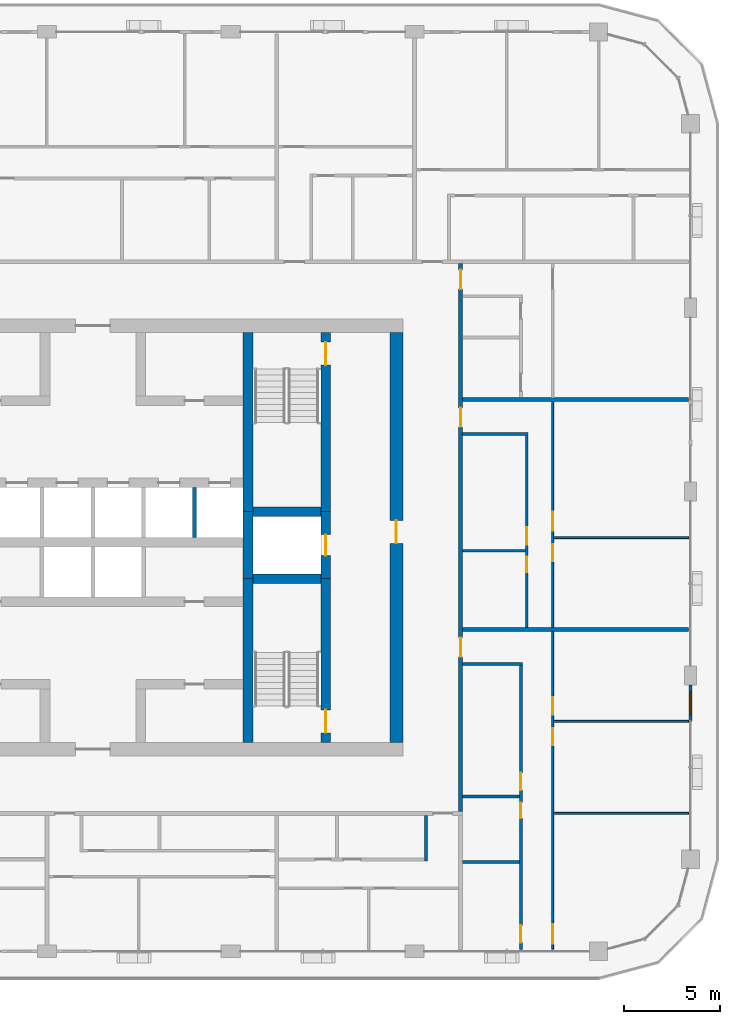
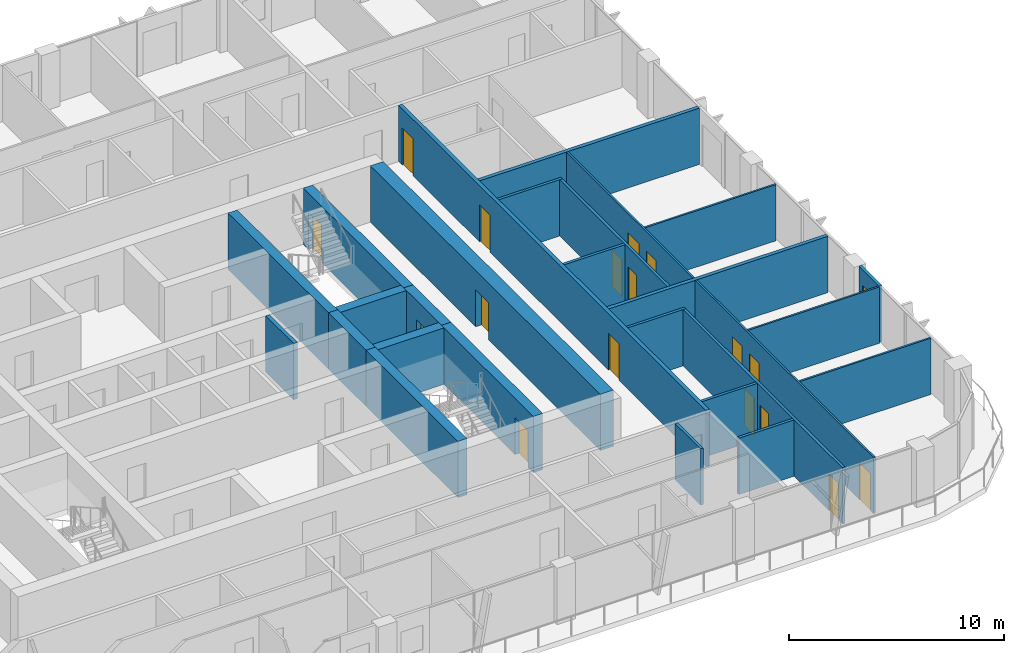
# One storey, part 12 of 22: 27 walls, 17 doors, 1 window, 18 openings.
"""IFC4 building model written with IfcOpenShell, lengths in metres."""

from ifc_helpers import new_model, si_unit, direction, frame, frame_2d, origin, place, context, subcontext, project, spatial, rectangle, extrude, material, layer, layer_set, type_object, element, fill, save


model = new_model("IFC4")

# Units and contexts
model_context = context("Model", 3, precision=1e-05, world=origin(), true_north=direction((0.0, 1.0)))
body_context = subcontext(model_context, "Body", "Model", "MODEL_VIEW")
ifc_project = project(units=[si_unit("LENGTHUNIT", "METRE"), si_unit("AREAUNIT", "SQUARE_METRE"), si_unit("VOLUMEUNIT", "CUBIC_METRE"), si_unit("PLANEANGLEUNIT", "RADIAN"), si_unit("MASSUNIT", "GRAM", prefix="KILO")], contexts=[model_context])

# Site, building, storey
site_placement = place(None, origin())
site = spatial("IfcSite", under=ifc_project, at=site_placement, CompositionType="ELEMENT")
building_placement = place(site_placement, origin())
building = spatial("IfcBuilding", under=site, at=building_placement, Name="Madar Terraces", CompositionType="ELEMENT")
storey_placement = place(building_placement, frame((0.0, 0.0, 208.800048828125)))
storey = spatial("IfcBuildingStorey", under=building, at=storey_placement, Name="L54", CompositionType="ELEMENT", Elevation=208.800048828125)

# Walls
ifc_material_1 = material(Name="Concrete C60/75", Category="concrete")
ifc_layer_1 = layer(ifc_material_1, 0.5)
ifc_layer_set_1 = layer_set([ifc_layer_1], Name="Concrete C60/75 (CIW4 RC wall 500)")
wall_type_1 = type_object("IfcWallType", Name="CIW4 RC wall 500", PredefinedType="SHEAR", material=ifc_layer_set_1)
wall_1_placement = place(storey_placement, frame((39.300048828125, 15.699951171875, 0.0), z_axis=(0.0, 0.0, 1.0), x_axis=(0.0, 1.0, 0.0)))
element("IfcWall", 1, at=wall_1_placement, inside=storey, type_object=wall_type_1, Name="CORE SHAFT WALL", PredefinedType="SHEAR", context=body_context, shape_type="SweptSolid", body=[
    extrude(rectangle(XDim=8.550048828125, YDim=0.5, at=frame_2d((4.27490234375, 0.0))), origin(), (0.0, 0.0, 1.0), 3.199951171875),
])
wall_2_placement = place(storey_placement, frame((39.300048828125, 24.25, 0.0), z_axis=(0.0, 0.0, 1.0), x_axis=(0.0, 1.0, 0.0)))
element("IfcWall", 2, at=wall_2_placement, inside=storey, type_object=wall_type_1, Name="CORE SHAFT WALL", PredefinedType="SHEAR", context=body_context, shape_type="SweptSolid", body=[
    extrude(rectangle(XDim=3.5, YDim=0.5, at=frame_2d((1.75, 0.0))), origin(), (0.0, 0.0, 1.0), 3.199951171875),
])
wall_3_placement = place(storey_placement, frame((39.300048828125, 27.75, 0.0), z_axis=(0.0, 0.0, 1.0), x_axis=(0.0, 1.0, 0.0)))
element("IfcWall", 3, at=wall_3_placement, inside=storey, type_object=wall_type_1, Name="CORE SHAFT WALL", PredefinedType="SHEAR", context=body_context, shape_type="SweptSolid", body=[
    extrude(rectangle(XDim=9.35009765625, YDim=0.5, at=frame_2d((4.675048828125, 0.0))), origin(), (0.0, 0.0, 1.0), 3.199951171875),
])

# Wall, opening, door
wall_4_placement = place(storey_placement, frame((43.35009765625, 15.699951171875, 0.0), z_axis=(0.0, 0.0, 1.0), x_axis=(0.0, 1.0, 0.0)))
wall_4 = element("IfcWall", 4, at=wall_4_placement, inside=storey, type_object=wall_type_1, Name="CORE SHAFT WALL", PredefinedType="SHEAR", context=body_context, shape_type="SweptSolid", body=[
    extrude(rectangle(XDim=8.550048828125, YDim=0.5, at=frame_2d((4.27490234375, 0.0))), origin(), (0.0, 0.0, 1.0), 3.199951171875),
])
opening_1_placement = place(wall_4_placement, frame((0.5, 0.0, 0.0)))
opening_1 = element("IfcOpeningElement", 5, at=opening_1_placement, cuts=wall_4, Name="Opening SD1", PredefinedType="OPENING", context=body_context, shape_type="SweptSolid", body=[
    extrude(rectangle(XDim=1.199951171875, YDim=2.10009765625, at=frame_2d((0.60009765625, 1.050048828125))), frame((0.0, 0.260009765625, 0.0), z_axis=(0.0, -1.0, 0.0), x_axis=(1.0, 0.0, 0.0)), (0.0, 0.0, 1.0), 0.52001953125),
])
ifc_material_2 = material(Name="Steel door leaf", Category="steel")
door_type_1 = type_object("IfcDoorType", Name="Stair door 1200 x 2100", OperationType="NOTDEFINED", PredefinedType="DOOR", material=ifc_material_2)
door_1_placement = place(opening_1_placement, origin())
door_1 = element("IfcDoor", 6, at=door_1_placement, inside=storey, type_object=door_type_1, Name="STAIR DOOR", OperationType="SINGLE_SWING_LEFT", OverallHeight=2.10009765625, OverallWidth=1.199951171875, PredefinedType="DOOR", context=body_context, shape_type="SweptSolid", body=[
    extrude(rectangle(XDim=1.199951171875, YDim=2.10009765625, at=frame_2d((0.60009765625, 1.050048828125))), frame((0.0, 0.02490234375, 0.0), z_axis=(0.0, -1.0, 0.0), x_axis=(1.0, 0.0, 0.0)), (0.0, 0.0, 1.0), 0.050048828125),
])
fill(opening_1, door_1)

wall_5_placement = place(storey_placement, frame((43.35009765625, 24.25, 0.0), z_axis=(0.0, 0.0, 1.0), x_axis=(0.0, 1.0, 0.0)))
wall_5 = element("IfcWall", 7, at=wall_5_placement, inside=storey, type_object=wall_type_1, Name="CORE SHAFT WALL", PredefinedType="SHEAR", context=body_context, shape_type="SweptSolid", body=[
    extrude(rectangle(XDim=3.5, YDim=0.5, at=frame_2d((1.75, 0.0))), origin(), (0.0, 0.0, 1.0), 3.199951171875),
])
opening_2_placement = place(wall_5_placement, frame((1.199951171875, 0.0, 0.0)))
opening_2 = element("IfcOpeningElement", 8, at=opening_2_placement, cuts=wall_5, Name="Opening LD", PredefinedType="OPENING", context=body_context, shape_type="SweptSolid", body=[
    extrude(rectangle(XDim=1.10009765625, YDim=2.10009765625, at=frame_2d((0.550048828125, 1.050048828125))), frame((0.0, 0.260009765625, 0.0), z_axis=(0.0, -1.0, 0.0), x_axis=(1.0, 0.0, 0.0)), (0.0, 0.0, 1.0), 0.52001953125),
])
ifc_material_3 = material(Name="Stainless steel panel", Category="steel")
door_type_2 = type_object("IfcDoorType", Name="Lift landing door 1100 x 2100", OperationType="DOUBLE_DOOR_SLIDING", PredefinedType="DOOR", material=ifc_material_3)
door_2_placement = place(opening_2_placement, origin())
door_2 = element("IfcDoor", 9, at=door_2_placement, inside=storey, type_object=door_type_2, Name="LIFT LANDING DOOR", OperationType="DOUBLE_DOOR_SLIDING", OverallHeight=2.10009765625, OverallWidth=1.10009765625, PredefinedType="DOOR", context=body_context, shape_type="SweptSolid", body=[
    extrude(rectangle(XDim=1.10009765625, YDim=2.10009765625, at=frame_2d((0.550048828125, 1.050048828125))), frame((0.0, 0.02490234375, 0.0), z_axis=(0.0, -1.0, 0.0), x_axis=(1.0, 0.0, 0.0)), (0.0, 0.0, 1.0), 0.050048828125),
])
fill(opening_2, door_2)

wall_6_placement = place(storey_placement, frame((43.35009765625, 27.75, 0.0), z_axis=(0.0, 0.0, 1.0), x_axis=(0.0, 1.0, 0.0)))
wall_6 = element("IfcWall", 10, at=wall_6_placement, inside=storey, type_object=wall_type_1, Name="CORE SHAFT WALL", PredefinedType="SHEAR", context=body_context, shape_type="SweptSolid", body=[
    extrude(rectangle(XDim=9.35009765625, YDim=0.5, at=frame_2d((4.675048828125, 0.0))), origin(), (0.0, 0.0, 1.0), 3.199951171875),
])
opening_3_placement = place(wall_6_placement, frame((7.64990234375, 0.0, 0.0)))
opening_3 = element("IfcOpeningElement", 11, at=opening_3_placement, cuts=wall_6, Name="Opening SD1", PredefinedType="OPENING", context=body_context, shape_type="SweptSolid", body=[
    extrude(rectangle(XDim=1.199951171875, YDim=2.10009765625, at=frame_2d((0.60009765625, 1.050048828125))), frame((0.0, 0.260009765625, 0.0), z_axis=(0.0, -1.0, 0.0), x_axis=(1.0, 0.0, 0.0)), (0.0, 0.0, 1.0), 0.52001953125),
])
door_3_placement = place(opening_3_placement, origin())
door_3 = element("IfcDoor", 12, at=door_3_placement, inside=storey, type_object=door_type_1, Name="STAIR DOOR", OperationType="SINGLE_SWING_RIGHT", OverallHeight=2.10009765625, OverallWidth=1.199951171875, PredefinedType="DOOR", context=body_context, shape_type="SweptSolid", body=[
    extrude(rectangle(XDim=1.199951171875, YDim=2.10009765625, at=frame_2d((0.60009765625, 1.050048828125))), frame((0.0, 0.02490234375, 0.0), z_axis=(0.0, -1.0, 0.0), x_axis=(1.0, 0.0, 0.0)), (0.0, 0.0, 1.0), 0.050048828125),
])
fill(opening_3, door_3)

# Walls
for number, where, z_axis, x_axis, name in (
    (13, (39.550048828125, 24.25, 0.0), (0.0, 0.0, 1.0), (1.0, 0.0, 0.0), "CORE SHAFT WALL"),
    (14, (39.550048828125, 27.75, 0.0), (0.0, 0.0, 1.0), (1.0, 0.0, 0.0), "CORE SHAFT WALL"),
):
    element("IfcWall", number, at=place(storey_placement, frame(where, z_axis=z_axis, x_axis=x_axis)), inside=storey, type_object=wall_type_1, Name=name, PredefinedType="SHEAR", context=body_context, shape_type="SweptSolid", body=[
        extrude(rectangle(XDim=3.550048828125, YDim=0.5, at=frame_2d((1.77490234375, 0.0))), origin(), (0.0, 0.0, 1.0), 3.199951171875),
    ])

# Wall, opening, door
ifc_material_4 = material(Name="Concrete C60/75", Category="concrete")
ifc_layer_2 = layer(ifc_material_4, 0.699951171875)
ifc_layer_set_2 = layer_set([ifc_layer_2], Name="Concrete C60/75 (CRW4 RC wall 700)")
wall_type_2 = type_object("IfcWallType", Name="CRW4 RC wall 700", PredefinedType="SHEAR", material=ifc_layer_set_2)
wall_7_placement = place(storey_placement, frame((47.050048828125, 15.699951171875, 0.0), z_axis=(0.0, 0.0, 1.0), x_axis=(0.0, 1.0, 0.0)))
wall_7 = element("IfcWall", 15, at=wall_7_placement, inside=storey, type_object=wall_type_2, Name="CORE OUTER WALL", PredefinedType="SHEAR", context=body_context, shape_type="SweptSolid", body=[
    extrude(rectangle(XDim=21.400146484375, YDim=0.699951171875, at=frame_2d((10.7001953125, 0.0))), origin(), (0.0, 0.0, 1.0), 3.199951171875),
])
opening_4_placement = place(wall_7_placement, frame((10.39990234375, 0.0, 0.0)))
opening_4 = element("IfcOpeningElement", 16, at=opening_4_placement, cuts=wall_7, Name="Opening SD1", PredefinedType="OPENING", context=body_context, shape_type="SweptSolid", body=[
    extrude(rectangle(XDim=1.199951171875, YDim=2.10009765625, at=frame_2d((0.60009765625, 1.050048828125))), frame((0.0, 0.35986328125, 0.0), z_axis=(0.0, -1.0, 0.0), x_axis=(1.0, 0.0, 0.0)), (0.0, 0.0, 1.0), 0.719970703125),
])
door_4_placement = place(opening_4_placement, origin())
door_4 = element("IfcDoor", 17, at=door_4_placement, inside=storey, type_object=door_type_1, Name="STAIR DOOR", OperationType="SINGLE_SWING_RIGHT", OverallHeight=2.10009765625, OverallWidth=1.199951171875, PredefinedType="DOOR", context=body_context, shape_type="SweptSolid", body=[
    extrude(rectangle(XDim=1.199951171875, YDim=2.10009765625, at=frame_2d((0.60009765625, 1.050048828125))), frame((0.0, 0.02490234375, 0.0), z_axis=(0.0, -1.0, 0.0), x_axis=(1.0, 0.0, 0.0)), (0.0, 0.0, 1.0), 0.050048828125),
])
fill(opening_4, door_4)

# Wall
ifc_material_5 = material(Name="Concrete C40/50", Category="concrete")
ifc_layer_3 = layer(ifc_material_5, 0.199951171875)
ifc_layer_set_3 = layer_set([ifc_layer_3], Name="Core shaft dividing wall 200 C40/50")
wall_type_3 = type_object("IfcWallType", Name="Core shaft dividing wall 200 C40/50", PredefinedType="SOLIDWALL", material=ifc_layer_set_3)
wall_8_placement = place(storey_placement, frame((36.5, 26.39990234375, 0.0), z_axis=(0.0, 0.0, 1.0), x_axis=(0.0, 1.0, 0.0)))
element("IfcWall", 18, at=wall_8_placement, inside=storey, type_object=wall_type_3, Name="SHAFT DIVIDING WALL", PredefinedType="SOLIDWALL", context=body_context, shape_type="SweptSolid", body=[
    extrude(rectangle(XDim=2.60009765625, YDim=0.199951171875, at=frame_2d((1.300048828125, 0.0))), origin(), (0.0, 0.0, 1.0), 3.199951171875),
])

# Wall, opening, window
ifc_material_6 = material(Name="Aluminium composite panel, black, over insulated backing", Category="aluminium")
ifc_layer_4 = layer(ifc_material_6, 0.14990234375)
ifc_layer_set_4 = layer_set([ifc_layer_4], Name="Facade bay panel 150")
wall_type_4 = type_object("IfcWallType", Name="Facade bay panel 150", PredefinedType="SOLIDWALL", material=ifc_layer_set_4)
wall_9_placement = place(storey_placement, frame((62.39990234375, 16.800048828125, 0.0), z_axis=(0.0, 0.0, 1.0), x_axis=(0.0, 1.0, 0.0)))
wall_9 = element("IfcWall", 19, at=wall_9_placement, inside=storey, type_object=wall_type_4, Name="Facade bay panel", PredefinedType="SOLIDWALL", context=body_context, shape_type="SweptSolid", body=[
    extrude(rectangle(XDim=1.89990234375, YDim=0.14990234375, at=frame_2d((0.949951171875, 0.0))), origin(), (0.0, 0.0, 1.0), 3.199951171875),
])
opening_5_placement = place(wall_9_placement, frame((0.35009765625, 0.0, 0.89990234375)))
opening_5 = element("IfcOpeningElement", 20, at=opening_5_placement, cuts=wall_9, Name="Opening W1", PredefinedType="OPENING", context=body_context, shape_type="SweptSolid", body=[
    extrude(rectangle(XDim=1.199951171875, YDim=1.39990234375, at=frame_2d((0.60009765625, 0.699951171875))), frame((0.0, 0.0849609375, 0.0), z_axis=(0.0, -1.0, 0.0), x_axis=(1.0, 0.0, 0.0)), (0.0, 0.0, 1.0), 0.169921875),
])
ifc_material_7 = material(Name="Glass, clear, with black aluminium frame", Category="aluminium")
window_type = type_object("IfcWindowType", Name="Vent window 1200 x 1400", PartitioningType="SINGLE_PANEL", PredefinedType="WINDOW", material=ifc_material_7)
window_placement = place(opening_5_placement, origin())
window = element("IfcWindow", 21, at=window_placement, inside=storey, type_object=window_type, Name="Operable vent window", OverallHeight=1.39990234375, OverallWidth=1.199951171875, PartitioningType="SINGLE_PANEL", PredefinedType="WINDOW", context=body_context, shape_type="SweptSolid", body=[
    extrude(rectangle(XDim=1.199951171875, YDim=1.39990234375, at=frame_2d((0.60009765625, 0.699951171875))), frame((0.0, 0.030029296875, 0.0), z_axis=(0.0, -1.0, 0.0), x_axis=(1.0, 0.0, 0.0)), (0.0, 0.0, 1.0), 0.06005859375),
])
fill(opening_5, window)

# Walls
ifc_material_8 = material(Name="Gypsum board on steel studs", Category="steel")
ifc_layer_5 = layer(ifc_material_8, 0.10009765625)
ifc_layer_set_5 = layer_set([ifc_layer_5], Name="Flat partition 100")
wall_type_5 = type_object("IfcWallType", Name="Flat partition 100", PredefinedType="PARTITIONING", material=ifc_layer_set_5)
for number, where, z_axis, x_axis, name in (
    (22, (55.25, 16.800048828125, 0.0), (0.0, 0.0, 1.0), (1.0, 0.0, 0.0), "Flat partition 100"),
    (23, (55.25, 12.0, 0.0), (0.0, 0.0, 1.0), (1.0, 0.0, 0.0), "Flat partition 100"),
):
    element("IfcWall", number, at=place(storey_placement, frame(where, z_axis=z_axis, x_axis=x_axis)), inside=storey, type_object=wall_type_5, Name=name, PredefinedType="PARTITIONING", context=body_context, shape_type="SweptSolid", body=[
        extrude(rectangle(XDim=7.050048828125, YDim=0.10009765625, at=frame_2d((3.52490234375, 0.0))), origin(), (0.0, 0.0, 1.0), 3.199951171875),
    ])

# Wall, openings, doors
wall_10_placement = place(storey_placement, frame((55.199951171875, 21.5, 0.0), z_axis=(0.0, 0.0, 1.0), x_axis=(0.0, -1.0, 0.0)))
wall_10 = element("IfcWall", 24, at=wall_10_placement, inside=storey, type_object=wall_type_5, Name="Flat partition 100", PredefinedType="PARTITIONING", context=body_context, shape_type="SweptSolid", body=[
    extrude(rectangle(XDim=16.60009765625, YDim=0.10009765625, at=frame_2d((8.300048828125, 0.0))), origin(), (0.0, 0.0, 1.0), 3.199951171875),
])
opening_6_placement = place(wall_10_placement, frame((3.449951171875, 0.0, 0.0)))
opening_6 = element("IfcOpeningElement", 25, at=opening_6_placement, cuts=wall_10, Name="Opening D2", PredefinedType="OPENING", context=body_context, shape_type="SweptSolid", body=[
    extrude(rectangle(XDim=0.89990234375, YDim=2.10009765625, at=frame_2d((0.449951171875, 1.050048828125))), frame((0.0, 0.06005859375, 0.0), z_axis=(0.0, -1.0, 0.0), x_axis=(1.0, 0.0, 0.0)), (0.0, 0.0, 1.0), 0.1201171875),
])
opening_7_placement = place(wall_10_placement, frame((5.050048828125, 0.0, 0.0)))
opening_7 = element("IfcOpeningElement", 26, at=opening_7_placement, cuts=wall_10, Name="Opening D2", PredefinedType="OPENING", context=body_context, shape_type="SweptSolid", body=[
    extrude(rectangle(XDim=0.89990234375, YDim=2.10009765625, at=frame_2d((0.449951171875, 1.050048828125))), frame((0.0, 0.06005859375, 0.0), z_axis=(0.0, -1.0, 0.0), x_axis=(1.0, 0.0, 0.0)), (0.0, 0.0, 1.0), 0.1201171875),
])
opening_8_placement = place(wall_10_placement, frame((15.300048828125, 0.0, 0.0)))
opening_8 = element("IfcOpeningElement", 27, at=opening_8_placement, cuts=wall_10, Name="Opening D3", PredefinedType="OPENING", context=body_context, shape_type="SweptSolid", body=[
    extrude(rectangle(XDim=1.0, YDim=2.10009765625, at=frame_2d((0.5, 1.050048828125))), frame((0.0, 0.06005859375, 0.0), z_axis=(0.0, -1.0, 0.0), x_axis=(1.0, 0.0, 0.0)), (0.0, 0.0, 1.0), 0.1201171875),
])
ifc_material_9 = material(Name="Timber door leaf", Category="wood")
door_type_3 = type_object("IfcDoorType", Name="Flat living room door 1000", OperationType="NOTDEFINED", PredefinedType="DOOR", material=ifc_material_9)
door_5_placement = place(opening_8_placement, origin())
door_5 = element("IfcDoor", 28, at=door_5_placement, inside=storey, type_object=door_type_3, Name="Flat living room door 1000", OperationType="SINGLE_SWING_RIGHT", OverallHeight=2.10009765625, OverallWidth=1.0, PredefinedType="DOOR", context=body_context, shape_type="SweptSolid", body=[
    extrude(rectangle(XDim=1.0, YDim=2.10009765625, at=frame_2d((0.5, 1.050048828125))), frame((0.0, 0.02490234375, 0.0), z_axis=(0.0, -1.0, 0.0), x_axis=(1.0, 0.0, 0.0)), (0.0, 0.0, 1.0), 0.050048828125),
])
fill(opening_8, door_5)
ifc_material_10 = material(Name="Timber door leaf", Category="wood")
door_type_4 = type_object("IfcDoorType", Name="Flat room door 900", OperationType="NOTDEFINED", PredefinedType="DOOR", material=ifc_material_10)
door_6_placement = place(opening_6_placement, origin())
door_6 = element("IfcDoor", 29, at=door_6_placement, inside=storey, type_object=door_type_4, Name="Flat room door 900", OperationType="SINGLE_SWING_RIGHT", OverallHeight=2.10009765625, OverallWidth=0.89990234375, PredefinedType="DOOR", context=body_context, shape_type="SweptSolid", body=[
    extrude(rectangle(XDim=0.89990234375, YDim=2.10009765625, at=frame_2d((0.449951171875, 1.050048828125))), frame((0.0, 0.02490234375, 0.0), z_axis=(0.0, -1.0, 0.0), x_axis=(1.0, 0.0, 0.0)), (0.0, 0.0, 1.0), 0.050048828125),
])
fill(opening_6, door_6)
door_7_placement = place(opening_7_placement, origin())
door_7 = element("IfcDoor", 30, at=door_7_placement, inside=storey, type_object=door_type_4, Name="Flat room door 900", OperationType="SINGLE_SWING_LEFT", OverallHeight=2.10009765625, OverallWidth=0.89990234375, PredefinedType="DOOR", context=body_context, shape_type="SweptSolid", body=[
    extrude(rectangle(XDim=0.89990234375, YDim=2.10009765625, at=frame_2d((0.449951171875, 1.050048828125))), frame((0.0, 0.02490234375, 0.0), z_axis=(0.0, -1.0, 0.0), x_axis=(1.0, 0.0, 0.0)), (0.0, 0.0, 1.0), 0.050048828125),
])
fill(opening_7, door_7)

# Wall
wall_11_placement = place(storey_placement, frame((55.25, 26.39990234375, 0.0), z_axis=(0.0, 0.0, 1.0), x_axis=(1.0, 0.0, 0.0)))
element("IfcWall", 31, at=wall_11_placement, inside=storey, type_object=wall_type_5, Name="Flat partition 100", PredefinedType="PARTITIONING", context=body_context, shape_type="SweptSolid", body=[
    extrude(rectangle(XDim=7.050048828125, YDim=0.10009765625, at=frame_2d((3.52490234375, 0.0))), origin(), (0.0, 0.0, 1.0), 3.199951171875),
])

# Wall, openings, doors
wall_12_placement = place(storey_placement, frame((55.199951171875, 33.5, 0.0), z_axis=(0.0, 0.0, 1.0), x_axis=(0.0, -1.0, 0.0)))
wall_12 = element("IfcWall", 32, at=wall_12_placement, inside=storey, type_object=wall_type_5, Name="Flat partition 100", PredefinedType="PARTITIONING", context=body_context, shape_type="SweptSolid", body=[
    extrude(rectangle(XDim=11.800048828125, YDim=0.10009765625, at=frame_2d((5.89990234375, 0.0))), origin(), (0.0, 0.0, 1.0), 3.199951171875),
])
opening_9_placement = place(wall_12_placement, frame((5.75, 0.0, 0.0)))
opening_9 = element("IfcOpeningElement", 33, at=opening_9_placement, cuts=wall_12, Name="Opening D3", PredefinedType="OPENING", context=body_context, shape_type="SweptSolid", body=[
    extrude(rectangle(XDim=1.0, YDim=2.10009765625, at=frame_2d((0.5, 1.050048828125))), frame((0.0, 0.06005859375, 0.0), z_axis=(0.0, -1.0, 0.0), x_axis=(1.0, 0.0, 0.0)), (0.0, 0.0, 1.0), 0.1201171875),
])
opening_10_placement = place(wall_12_placement, frame((7.449951171875, 0.0, 0.0)))
opening_10 = element("IfcOpeningElement", 34, at=opening_10_placement, cuts=wall_12, Name="Opening D2", PredefinedType="OPENING", context=body_context, shape_type="SweptSolid", body=[
    extrude(rectangle(XDim=0.89990234375, YDim=2.10009765625, at=frame_2d((0.449951171875, 1.050048828125))), frame((0.0, 0.06005859375, 0.0), z_axis=(0.0, -1.0, 0.0), x_axis=(1.0, 0.0, 0.0)), (0.0, 0.0, 1.0), 0.1201171875),
])
door_8_placement = place(opening_9_placement, origin())
door_8 = element("IfcDoor", 35, at=door_8_placement, inside=storey, type_object=door_type_3, Name="Flat living room door 1000", OperationType="SINGLE_SWING_RIGHT", OverallHeight=2.10009765625, OverallWidth=1.0, PredefinedType="DOOR", context=body_context, shape_type="SweptSolid", body=[
    extrude(rectangle(XDim=1.0, YDim=2.10009765625, at=frame_2d((0.5, 1.050048828125))), frame((0.0, 0.02490234375, 0.0), z_axis=(0.0, -1.0, 0.0), x_axis=(1.0, 0.0, 0.0)), (0.0, 0.0, 1.0), 0.050048828125),
])
fill(opening_9, door_8)
door_9_placement = place(opening_10_placement, origin())
door_9 = element("IfcDoor", 36, at=door_9_placement, inside=storey, type_object=door_type_4, Name="Flat room door 900", OperationType="SINGLE_SWING_LEFT", OverallHeight=2.10009765625, OverallWidth=0.89990234375, PredefinedType="DOOR", context=body_context, shape_type="SweptSolid", body=[
    extrude(rectangle(XDim=0.89990234375, YDim=2.10009765625, at=frame_2d((0.449951171875, 1.050048828125))), frame((0.0, 0.02490234375, 0.0), z_axis=(0.0, -1.0, 0.0), x_axis=(1.0, 0.0, 0.0)), (0.0, 0.0, 1.0), 0.050048828125),
])
fill(opening_10, door_9)

ifc_material_11 = material(Name="Lightweight blockwork", Category="masonry")
ifc_layer_6 = layer(ifc_material_11, 0.199951171875)
ifc_layer_set_6 = layer_set([ifc_layer_6], Name="Flat party and entrance wall 200")
wall_type_6 = type_object("IfcWallType", Name="Flat party and entrance wall 200", PredefinedType="PARTITIONING", material=ifc_layer_set_6)
wall_13_placement = place(storey_placement, frame((50.39990234375, 40.699951171875, 0.0), z_axis=(0.0, 0.0, 1.0), x_axis=(0.0, -1.0, 0.0)))
wall_13 = element("IfcWall", 37, at=wall_13_placement, inside=storey, type_object=wall_type_6, Name="Flat party and entrance wall 200", PredefinedType="PARTITIONING", context=body_context, shape_type="SweptSolid", body=[
    extrude(rectangle(XDim=28.599853515625, YDim=0.199951171875, at=frame_2d((14.2998046875, 0.0))), origin(), (0.0, 0.0, 1.0), 3.199951171875),
])
opening_11_placement = place(wall_13_placement, frame((19.52490234375, 0.0, 0.0)))
opening_11 = element("IfcOpeningElement", 38, at=opening_11_placement, cuts=wall_13, Name="Opening D1", PredefinedType="OPENING", context=body_context, shape_type="SweptSolid", body=[
    extrude(rectangle(XDim=1.0, YDim=2.10009765625, at=frame_2d((0.5, 1.050048828125))), frame((0.0, 0.10986328125, 0.0), z_axis=(0.0, -1.0, 0.0), x_axis=(1.0, 0.0, 0.0)), (0.0, 0.0, 1.0), 0.219970703125),
])
opening_12_placement = place(wall_13_placement, frame((7.52490234375, 0.0, 0.0)))
opening_12 = element("IfcOpeningElement", 39, at=opening_12_placement, cuts=wall_13, Name="Opening D1", PredefinedType="OPENING", context=body_context, shape_type="SweptSolid", body=[
    extrude(rectangle(XDim=1.0, YDim=2.10009765625, at=frame_2d((0.5, 1.050048828125))), frame((0.0, 0.10986328125, 0.0), z_axis=(0.0, -1.0, 0.0), x_axis=(1.0, 0.0, 0.0)), (0.0, 0.0, 1.0), 0.219970703125),
])
opening_13_placement = place(wall_13_placement, frame((0.324951171875, 0.0, 0.0)))
opening_13 = element("IfcOpeningElement", 40, at=opening_13_placement, cuts=wall_13, Name="Opening D1", PredefinedType="OPENING", context=body_context, shape_type="SweptSolid", body=[
    extrude(rectangle(XDim=1.0, YDim=2.10009765625, at=frame_2d((0.5, 1.050048828125))), frame((0.0, 0.10986328125, 0.0), z_axis=(0.0, -1.0, 0.0), x_axis=(1.0, 0.0, 0.0)), (0.0, 0.0, 1.0), 0.219970703125),
])
ifc_material_12 = material(Name="Timber fire door leaf", Category="wood")
door_type_5 = type_object("IfcDoorType", Name="Flat entrance door 1000 FD30S", OperationType="NOTDEFINED", PredefinedType="DOOR", material=ifc_material_12)
door_10_placement = place(opening_11_placement, origin())
door_10 = element("IfcDoor", 41, at=door_10_placement, inside=storey, type_object=door_type_5, Name="Flat entrance door 1000 FD30S", OperationType="SINGLE_SWING_LEFT", OverallHeight=2.10009765625, OverallWidth=1.0, PredefinedType="DOOR", context=body_context, shape_type="SweptSolid", body=[
    extrude(rectangle(XDim=1.0, YDim=2.10009765625, at=frame_2d((0.5, 1.050048828125))), frame((0.0, 0.02490234375, 0.0), z_axis=(0.0, -1.0, 0.0), x_axis=(1.0, 0.0, 0.0)), (0.0, 0.0, 1.0), 0.050048828125),
])
fill(opening_11, door_10)
door_11_placement = place(opening_12_placement, origin())
door_11 = element("IfcDoor", 42, at=door_11_placement, inside=storey, type_object=door_type_5, Name="Flat entrance door 1000 FD30S", OperationType="SINGLE_SWING_LEFT", OverallHeight=2.10009765625, OverallWidth=1.0, PredefinedType="DOOR", context=body_context, shape_type="SweptSolid", body=[
    extrude(rectangle(XDim=1.0, YDim=2.10009765625, at=frame_2d((0.5, 1.050048828125))), frame((0.0, 0.02490234375, 0.0), z_axis=(0.0, -1.0, 0.0), x_axis=(1.0, 0.0, 0.0)), (0.0, 0.0, 1.0), 0.050048828125),
])
fill(opening_12, door_11)
door_12_placement = place(opening_13_placement, origin())
door_12 = element("IfcDoor", 43, at=door_12_placement, inside=storey, type_object=door_type_5, Name="Flat entrance door 1000 FD30S", OperationType="SINGLE_SWING_LEFT", OverallHeight=2.10009765625, OverallWidth=1.0, PredefinedType="DOOR", context=body_context, shape_type="SweptSolid", body=[
    extrude(rectangle(XDim=1.0, YDim=2.10009765625, at=frame_2d((0.5, 1.050048828125))), frame((0.0, 0.02490234375, 0.0), z_axis=(0.0, -1.0, 0.0), x_axis=(1.0, 0.0, 0.0)), (0.0, 0.0, 1.0), 0.050048828125),
])
fill(opening_13, door_12)

# Walls
for number, where, z_axis, x_axis, name in (
    (44, (50.5, 21.60009765625, 0.0), (0.0, 0.0, 1.0), (1.0, 0.0, 0.0), "Flat party and entrance wall 200"),
    (45, (50.5, 33.60009765625, 0.0), (0.0, 0.0, 1.0), (1.0, 0.0, 0.0), "Flat party and entrance wall 200"),
):
    element("IfcWall", number, at=place(storey_placement, frame(where, z_axis=z_axis, x_axis=x_axis)), inside=storey, type_object=wall_type_6, Name=name, PredefinedType="PARTITIONING", context=body_context, shape_type="SweptSolid", body=[
        extrude(rectangle(XDim=11.800048828125, YDim=0.199951171875, at=frame_2d((5.89990234375, 0.0))), origin(), (0.0, 0.0, 1.0), 3.199951171875),
    ])
ifc_material_13 = material(Name="Lightweight blockwork", Category="masonry")
ifc_layer_7 = layer(ifc_material_13, 0.14990234375)
ifc_layer_set_7 = layer_set([ifc_layer_7], Name="Flat wet-room partition 150")
wall_type_7 = type_object("IfcWallType", Name="Flat wet-room partition 150", PredefinedType="PARTITIONING", material=ifc_layer_set_7)
wall_14_placement = place(storey_placement, frame((48.60009765625, 11.89990234375, 0.0), z_axis=(0.0, 0.0, 1.0), x_axis=(0.0, -1.0, 0.0)))
element("IfcWall", 46, at=wall_14_placement, inside=storey, type_object=wall_type_7, Name="Flat wet-room partition 150", PredefinedType="PARTITIONING", context=body_context, shape_type="SweptSolid", body=[
    extrude(rectangle(XDim=2.375, YDim=0.14990234375, at=frame_2d((1.1875, 0.0))), origin(), (0.0, 0.0, 1.0), 3.199951171875),
])
for number, where, z_axis, x_axis, name in (
    (47, (50.5, 12.8828125, 0.0), (0.0, 0.0, 1.0), (1.0, 0.0, 0.0), "Flat wet-room partition 150"),
    (48, (50.5, 9.46142578125, 0.0), (0.0, 0.0, 1.0), (1.0, 0.0, 0.0), "Flat wet-room partition 150"),
):
    element("IfcWall", number, at=place(storey_placement, frame(where, z_axis=z_axis, x_axis=x_axis)), inside=storey, type_object=wall_type_7, Name=name, PredefinedType="PARTITIONING", context=body_context, shape_type="SweptSolid", body=[
        extrude(rectangle(XDim=2.97509765625, YDim=0.14990234375, at=frame_2d((1.487548828125, 0.0))), origin(), (0.0, 0.0, 1.0), 3.199951171875),
    ])
wall_15_placement = place(storey_placement, frame((50.5, 19.800048828125, 0.0), z_axis=(0.0, 0.0, 1.0), x_axis=(1.0, 0.0, 0.0)))
element("IfcWall", 49, at=wall_15_placement, inside=storey, type_object=wall_type_7, Name="Flat wet-room partition 150", PredefinedType="PARTITIONING", context=body_context, shape_type="SweptSolid", body=[
    extrude(rectangle(XDim=3.125, YDim=0.14990234375, at=frame_2d((1.5625, 0.0))), origin(), (0.0, 0.0, 1.0), 3.199951171875),
])

# Wall, openings, doors
wall_16_placement = place(storey_placement, frame((53.550048828125, 4.89990234375, 0.0), z_axis=(0.0, 0.0, 1.0), x_axis=(0.0, 1.0, 0.0)))
wall_16 = element("IfcWall", 50, at=wall_16_placement, inside=storey, type_object=wall_type_7, Name="Flat wet-room partition 150", PredefinedType="PARTITIONING", context=body_context, shape_type="SweptSolid", body=[
    extrude(rectangle(XDim=14.8251953125, YDim=0.14990234375, at=frame_2d((7.41259765625, 0.0))), origin(), (0.0, 0.0, 1.0), 3.199951171875),
])
opening_14_placement = place(wall_16_placement, frame((8.3076171875, 0.0, 0.0)))
opening_14 = element("IfcOpeningElement", 51, at=opening_14_placement, cuts=wall_16, Name="Opening D2", PredefinedType="OPENING", context=body_context, shape_type="SweptSolid", body=[
    extrude(rectangle(XDim=0.89990234375, YDim=2.10009765625, at=frame_2d((0.449951171875, 1.050048828125))), frame((0.0, 0.0849609375, 0.0), z_axis=(0.0, -1.0, 0.0), x_axis=(1.0, 0.0, 0.0)), (0.0, 0.0, 1.0), 0.169921875),
])
opening_15_placement = place(wall_16_placement, frame((6.857666015625, 0.0, 0.0)))
opening_15 = element("IfcOpeningElement", 52, at=opening_15_placement, cuts=wall_16, Name="Opening D4", PredefinedType="OPENING", context=body_context, shape_type="SweptSolid", body=[
    extrude(rectangle(XDim=0.800048828125, YDim=2.10009765625, at=frame_2d((0.39990234375, 1.050048828125))), frame((0.0, 0.0849609375, 0.0), z_axis=(0.0, -1.0, 0.0), x_axis=(1.0, 0.0, 0.0)), (0.0, 0.0, 1.0), 0.169921875),
])
opening_16_placement = place(wall_16_placement, frame((0.35009765625, 0.0, 0.0)))
opening_16 = element("IfcOpeningElement", 53, at=opening_16_placement, cuts=wall_16, Name="Opening D5", PredefinedType="OPENING", context=body_context, shape_type="SweptSolid", body=[
    extrude(rectangle(XDim=0.89990234375, YDim=2.10009765625, at=frame_2d((0.449951171875, 1.050048828125))), frame((0.0, 0.0849609375, 0.0), z_axis=(0.0, -1.0, 0.0), x_axis=(1.0, 0.0, 0.0)), (0.0, 0.0, 1.0), 0.169921875),
])
ifc_material_14 = material(Name="Timber door leaf", Category="wood")
door_type_6 = type_object("IfcDoorType", Name="Flat accessible bathroom door 900", OperationType="NOTDEFINED", PredefinedType="DOOR", material=ifc_material_14)
door_13_placement = place(opening_16_placement, origin())
door_13 = element("IfcDoor", 54, at=door_13_placement, inside=storey, type_object=door_type_6, Name="Flat accessible bathroom door 900", OperationType="SINGLE_SWING_LEFT", OverallHeight=2.10009765625, OverallWidth=0.89990234375, PredefinedType="DOOR", context=body_context, shape_type="SweptSolid", body=[
    extrude(rectangle(XDim=0.89990234375, YDim=2.10009765625, at=frame_2d((0.449951171875, 1.050048828125))), frame((0.0, 0.02490234375, 0.0), z_axis=(0.0, -1.0, 0.0), x_axis=(1.0, 0.0, 0.0)), (0.0, 0.0, 1.0), 0.050048828125),
])
fill(opening_16, door_13)
ifc_material_15 = material(Name="Timber door leaf", Category="wood")
door_type_7 = type_object("IfcDoorType", Name="Flat bathroom door 800", OperationType="NOTDEFINED", PredefinedType="DOOR", material=ifc_material_15)
door_14_placement = place(opening_15_placement, origin())
door_14 = element("IfcDoor", 55, at=door_14_placement, inside=storey, type_object=door_type_7, Name="Flat bathroom door 800", OperationType="SINGLE_SWING_RIGHT", OverallHeight=2.10009765625, OverallWidth=0.800048828125, PredefinedType="DOOR", context=body_context, shape_type="SweptSolid", body=[
    extrude(rectangle(XDim=0.800048828125, YDim=2.10009765625, at=frame_2d((0.39990234375, 1.050048828125))), frame((0.0, 0.02490234375, 0.0), z_axis=(0.0, -1.0, 0.0), x_axis=(1.0, 0.0, 0.0)), (0.0, 0.0, 1.0), 0.050048828125),
])
fill(opening_15, door_14)
door_15_placement = place(opening_14_placement, origin())
door_15 = element("IfcDoor", 56, at=door_15_placement, inside=storey, type_object=door_type_4, Name="Flat room door 900", OperationType="SINGLE_SWING_LEFT", OverallHeight=2.10009765625, OverallWidth=0.89990234375, PredefinedType="DOOR", context=body_context, shape_type="SweptSolid", body=[
    extrude(rectangle(XDim=0.89990234375, YDim=2.10009765625, at=frame_2d((0.449951171875, 1.050048828125))), frame((0.0, 0.02490234375, 0.0), z_axis=(0.0, -1.0, 0.0), x_axis=(1.0, 0.0, 0.0)), (0.0, 0.0, 1.0), 0.050048828125),
])
fill(opening_14, door_15)

# Walls
wall_17_placement = place(storey_placement, frame((50.5, 25.7099609375, 0.0), z_axis=(0.0, 0.0, 1.0), x_axis=(1.0, 0.0, 0.0)))
element("IfcWall", 57, at=wall_17_placement, inside=storey, type_object=wall_type_7, Name="Flat wet-room partition 150", PredefinedType="PARTITIONING", context=body_context, shape_type="SweptSolid", body=[
    extrude(rectangle(XDim=3.27490234375, YDim=0.14990234375, at=frame_2d((1.637451171875, 0.0))), origin(), (0.0, 0.0, 1.0), 3.199951171875),
])
wall_18_placement = place(storey_placement, frame((50.5, 31.800048828125, 0.0), z_axis=(0.0, 0.0, 1.0), x_axis=(1.0, 0.0, 0.0)))
element("IfcWall", 58, at=wall_18_placement, inside=storey, type_object=wall_type_7, Name="Flat wet-room partition 150", PredefinedType="PARTITIONING", context=body_context, shape_type="SweptSolid", body=[
    extrude(rectangle(XDim=3.425048828125, YDim=0.14990234375, at=frame_2d((1.71240234375, 0.0))), origin(), (0.0, 0.0, 1.0), 3.199951171875),
])

# Wall, openings, doors
wall_19_placement = place(storey_placement, frame((53.85009765625, 21.699951171875, 0.0), z_axis=(0.0, 0.0, 1.0), x_axis=(0.0, 1.0, 0.0)))
wall_19 = element("IfcWall", 59, at=wall_19_placement, inside=storey, type_object=wall_type_7, Name="Flat wet-room partition 150", PredefinedType="PARTITIONING", context=body_context, shape_type="SweptSolid", body=[
    extrude(rectangle(XDim=10.025146484375, YDim=0.14990234375, at=frame_2d((5.0126953125, 0.0))), origin(), (0.0, 0.0, 1.0), 3.199951171875),
])
opening_17_placement = place(wall_19_placement, frame((4.3349609375, 0.0, 0.0)))
opening_17 = element("IfcOpeningElement", 60, at=opening_17_placement, cuts=wall_19, Name="Opening D2", PredefinedType="OPENING", context=body_context, shape_type="SweptSolid", body=[
    extrude(rectangle(XDim=0.89990234375, YDim=2.10009765625, at=frame_2d((0.449951171875, 1.050048828125))), frame((0.0, 0.0849609375, 0.0), z_axis=(0.0, -1.0, 0.0), x_axis=(1.0, 0.0, 0.0)), (0.0, 0.0, 1.0), 0.169921875),
])
opening_18_placement = place(wall_19_placement, frame((2.885009765625, 0.0, 0.0)))
opening_18 = element("IfcOpeningElement", 61, at=opening_18_placement, cuts=wall_19, Name="Opening D4", PredefinedType="OPENING", context=body_context, shape_type="SweptSolid", body=[
    extrude(rectangle(XDim=0.800048828125, YDim=2.10009765625, at=frame_2d((0.39990234375, 1.050048828125))), frame((0.0, 0.0849609375, 0.0), z_axis=(0.0, -1.0, 0.0), x_axis=(1.0, 0.0, 0.0)), (0.0, 0.0, 1.0), 0.169921875),
])
door_16_placement = place(opening_18_placement, origin())
door_16 = element("IfcDoor", 62, at=door_16_placement, inside=storey, type_object=door_type_7, Name="Flat bathroom door 800", OperationType="SINGLE_SWING_RIGHT", OverallHeight=2.10009765625, OverallWidth=0.800048828125, PredefinedType="DOOR", context=body_context, shape_type="SweptSolid", body=[
    extrude(rectangle(XDim=0.800048828125, YDim=2.10009765625, at=frame_2d((0.39990234375, 1.050048828125))), frame((0.0, 0.02490234375, 0.0), z_axis=(0.0, -1.0, 0.0), x_axis=(1.0, 0.0, 0.0)), (0.0, 0.0, 1.0), 0.050048828125),
])
fill(opening_18, door_16)
door_17_placement = place(opening_17_placement, origin())
door_17 = element("IfcDoor", 63, at=door_17_placement, inside=storey, type_object=door_type_4, Name="Flat room door 900", OperationType="SINGLE_SWING_LEFT", OverallHeight=2.10009765625, OverallWidth=0.89990234375, PredefinedType="DOOR", context=body_context, shape_type="SweptSolid", body=[
    extrude(rectangle(XDim=0.89990234375, YDim=2.10009765625, at=frame_2d((0.449951171875, 1.050048828125))), frame((0.0, 0.02490234375, 0.0), z_axis=(0.0, -1.0, 0.0), x_axis=(1.0, 0.0, 0.0)), (0.0, 0.0, 1.0), 0.050048828125),
])
fill(opening_17, door_17)

save(model, "model.ifc")
